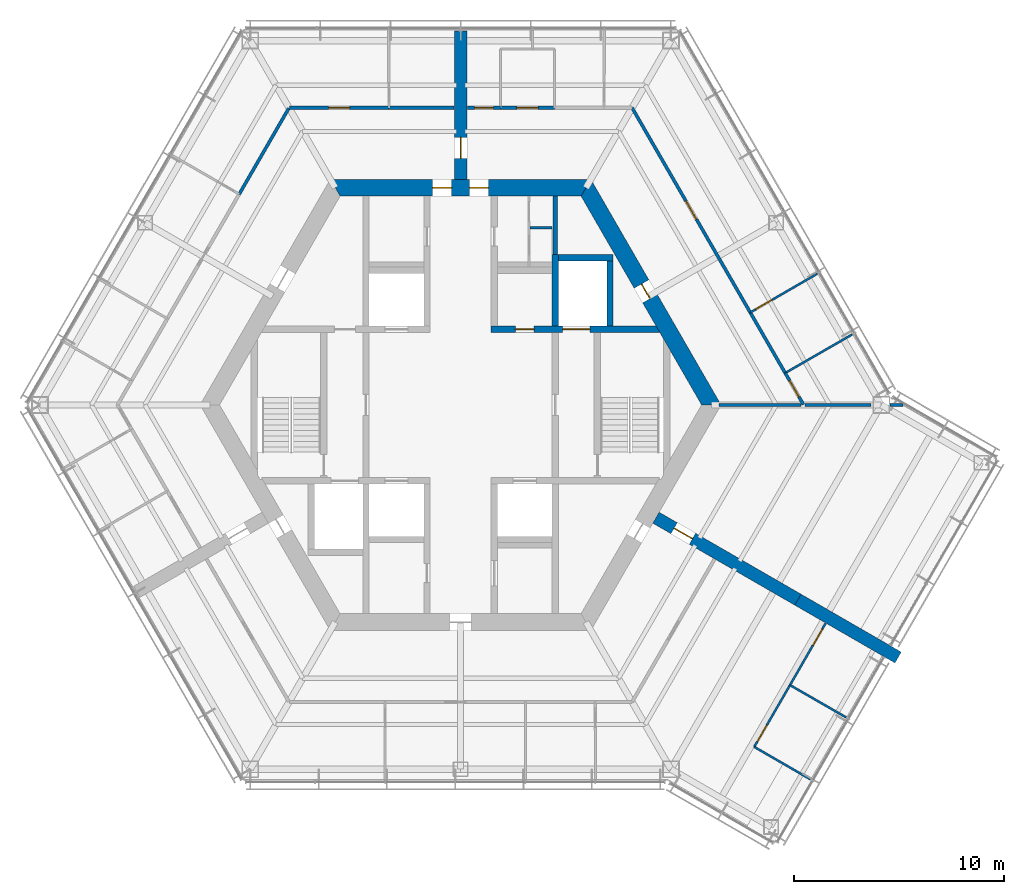
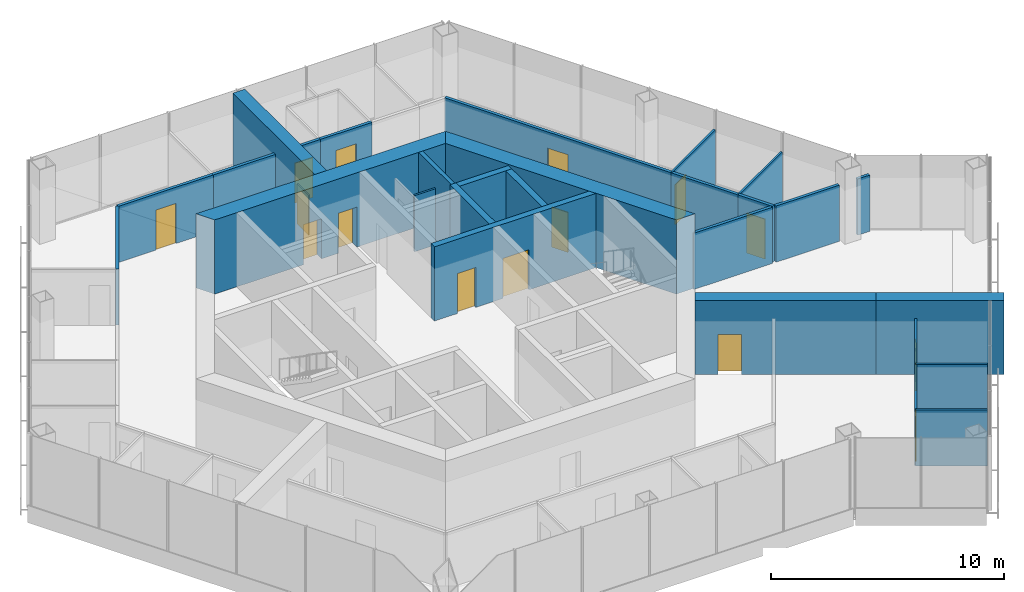
# One storey, part 9 of 13: 28 walls, 15 doors, 15 openings.
"""IFC4 building model written with IfcOpenShell, lengths in metres."""

from ifc_helpers import new_model, si_unit, direction, frame, frame_2d, origin, place, context, subcontext, project, spatial, polyline, rectangle, outline, extrude, material, layer, layer_set, type_object, element, fill, save


model = new_model("IFC4")

# Units and contexts
model_context = context("Model", 3, precision=1e-05, world=origin(), true_north=direction((0.0, 1.0)))
body_context = subcontext(model_context, "Body", "Model", "MODEL_VIEW")
ifc_project = project(units=[si_unit("LENGTHUNIT", "METRE"), si_unit("AREAUNIT", "SQUARE_METRE"), si_unit("VOLUMEUNIT", "CUBIC_METRE"), si_unit("PLANEANGLEUNIT", "RADIAN"), si_unit("MASSUNIT", "GRAM", prefix="KILO")], contexts=[model_context])

# Site, building, storey
site_placement = place(None, origin())
site = spatial("IfcSite", under=ifc_project, at=site_placement, CompositionType="ELEMENT")
building_placement = place(site_placement, origin())
building = spatial("IfcBuilding", under=site, at=building_placement, Name="Kasaneha Research Tower", CompositionType="ELEMENT")
storey_placement = place(building_placement, frame((0.0, 0.0, 290.800048828125)))
storey = spatial("IfcBuildingStorey", under=building, at=storey_placement, Name="L73", CompositionType="ELEMENT", Elevation=290.800048828125)

# Wall, openings, doors
ifc_material_1 = material(Name="Concrete Fc60", Category="concrete")
ifc_layer_1 = layer(ifc_material_1, 0.300048828125)
ifc_layer_set_1 = layer_set([ifc_layer_1], Name="Core internal wall 300 Fc60")
wall_type_1 = type_object("IfcWallType", Name="Core internal wall 300 Fc60", PredefinedType="SHEAR", material=ifc_layer_set_1)
wall_1_placement = place(storey_placement, frame((1.449951171875, 3.60009765625, 0.0), z_axis=(0.0, 0.0, 1.0), x_axis=(1.0, 0.0, 0.0)))
wall_1 = element("IfcWall", 1, at=wall_1_placement, inside=storey, type_object=wall_type_1, Name="Core wall W1E L73", PredefinedType="SHEAR", context=body_context, shape_type="SweptSolid", body=[
    extrude(outline(polyline([(0.0, -0.14990234375), (1.14990234375, -0.14990234375), (2.0498046875, -0.14990234375), (3.39990234375, -0.14990234375), (4.699951171875, -0.14990234375), (8.0185546875, -0.14990234375), (7.84521484375, 0.14990234375), (4.699951171875, 0.14990234375), (3.39990234375, 0.14990234375), (2.0498046875, 0.14990234375), (1.14990234375, 0.14990234375), (0.0, 0.14990234375), (0.0, -0.14990234375)])), origin(), (0.0, 0.0, 1.0), 3.89990234375),
])
opening_1_placement = place(wall_1_placement, frame((1.14990234375, 0.0, 0.0)))
opening_1 = element("IfcOpeningElement", 2, at=opening_1_placement, cuts=wall_1, Name="Opening L73-D17", PredefinedType="OPENING", context=body_context, shape_type="SweptSolid", body=[
    extrude(rectangle(XDim=0.89990234375, YDim=2.10009765625, at=frame_2d((0.449951171875, 1.050048828125))), frame((0.0, 0.16015625, 0.0), z_axis=(0.0, -1.0, 0.0), x_axis=(1.0, 0.0, 0.0)), (0.0, 0.0, 1.0), 0.320068359375),
])
opening_2_placement = place(wall_1_placement, frame((3.39990234375, 0.0, 0.0)))
opening_2 = element("IfcOpeningElement", 3, at=opening_2_placement, cuts=wall_1, Name="Opening LD-FL1-L73", PredefinedType="OPENING", context=body_context, shape_type="SweptSolid", body=[
    extrude(rectangle(XDim=1.300048828125, YDim=2.10009765625, at=frame_2d((0.64990234375, 1.050048828125))), frame((0.0, 0.16015625, 0.0), z_axis=(0.0, -1.0, 0.0), x_axis=(1.0, 0.0, 0.0)), (0.0, 0.0, 1.0), 0.320068359375),
])
ifc_material_2 = material(Name="Steel", Category="steel")
door_type_1 = type_object("IfcDoorType", Name="Lift landing door 1300x2100", OperationType="DOUBLE_DOOR_SLIDING", PredefinedType="DOOR", material=ifc_material_2)
door_1_placement = place(opening_2_placement, origin())
door_1 = element("IfcDoor", 4, at=door_1_placement, inside=storey, type_object=door_type_1, Name="Landing door FL1 LD-FL1-L73", OperationType="DOUBLE_DOOR_SLIDING", OverallHeight=2.10009765625, OverallWidth=1.300048828125, PredefinedType="DOOR", context=body_context, shape_type="SweptSolid", body=[
    extrude(rectangle(XDim=1.300048828125, YDim=2.10009765625, at=frame_2d((0.64990234375, 1.050048828125))), frame((0.0, 0.02490234375, 0.0), z_axis=(0.0, -1.0, 0.0), x_axis=(1.0, 0.0, 0.0)), (0.0, 0.0, 1.0), 0.050048828125),
])
fill(opening_2, door_1)
ifc_material_3 = material(Name="Steel", Category="steel")
door_type_2 = type_object("IfcDoorType", Name="Shaft room door FD60 900x2100", OperationType="NOTDEFINED", PredefinedType="DOOR", material=ifc_material_3)
door_2_placement = place(opening_1_placement, origin())
door_2 = element("IfcDoor", 5, at=door_2_placement, inside=storey, type_object=door_type_2, Name="Mail room door L73-D17", OperationType="SINGLE_SWING_LEFT", OverallHeight=2.10009765625, OverallWidth=0.89990234375, PredefinedType="DOOR", context=body_context, shape_type="SweptSolid", body=[
    extrude(rectangle(XDim=0.89990234375, YDim=2.10009765625, at=frame_2d((0.449951171875, 1.050048828125))), frame((0.0, 0.02490234375, 0.0), z_axis=(0.0, -1.0, 0.0), x_axis=(1.0, 0.0, 0.0)), (0.0, 0.0, 1.0), 0.050048828125),
])
fill(opening_1, door_2)

# Walls
wall_2_placement = place(storey_placement, frame((4.5, 3.75, 0.0), z_axis=(0.0, 0.0, 1.0), x_axis=(0.0, 1.0, 0.0)))
element("IfcWall", 6, at=wall_2_placement, inside=storey, type_object=wall_type_1, Name="Core wall FNE L73", PredefinedType="SHEAR", context=body_context, shape_type="SweptSolid", body=[
    extrude(rectangle(XDim=3.39990234375, YDim=0.300048828125, at=frame_2d((1.699951171875, 0.0))), origin(), (0.0, 0.0, 1.0), 3.89990234375),
])
wall_3_placement = place(storey_placement, frame((4.64990234375, 7.0, 0.0), z_axis=(0.0, 0.0, 1.0), x_axis=(1.0, 0.0, 0.0)))
element("IfcWall", 7, at=wall_3_placement, inside=storey, type_object=wall_type_1, Name="Core wall F1N L73", PredefinedType="SHEAR", context=body_context, shape_type="SweptSolid", body=[
    extrude(rectangle(XDim=2.60009765625, YDim=0.300048828125, at=frame_2d((1.300048828125, 0.0))), origin(), (0.0, 0.0, 1.0), 3.89990234375),
])
wall_4_placement = place(storey_placement, frame((7.10009765625, 3.75, 0.0), z_axis=(0.0, 0.0, 1.0), x_axis=(0.0, 1.0, 0.0)))
element("IfcWall", 8, at=wall_4_placement, inside=storey, type_object=wall_type_1, Name="Core wall F1E L73", PredefinedType="SHEAR", context=body_context, shape_type="SweptSolid", body=[
    extrude(rectangle(XDim=3.10009765625, YDim=0.300048828125, at=frame_2d((1.550048828125, 0.0))), origin(), (0.0, 0.0, 1.0), 3.89990234375),
])

# Wall, opening, door
ifc_material_4 = material(Name="Concrete Fc60", Category="concrete")
ifc_layer_2 = layer(ifc_material_4, 0.800048828125)
ifc_layer_set_2 = layer_set([ifc_layer_2], Name="Core wall 800 Fc60")
wall_type_2 = type_object("IfcWallType", Name="Core wall 800 Fc60", PredefinedType="SHEAR", material=ifc_layer_set_2)
wall_5_placement = place(storey_placement, frame((11.92236328125, 0.0, 0.0), z_axis=(0.0, 0.0, 1.0), x_axis=(-0.500004296715, 0.866022923061, 0.0)))
wall_5 = element("IfcWall", 9, at=wall_5_placement, inside=storey, type_object=wall_type_2, Name="Core wall 030 L73", PredefinedType="SHEAR", context=body_context, shape_type="SweptSolid", body=[
    extrude(outline(polyline([(-0.23095703125, -0.39990234375), (5.83544921875, -0.39990234375), (6.635498046875, -0.39990234375), (12.1533203125, -0.39990234375), (11.69140625, 0.39990234375), (6.635498046875, 0.39990234375), (5.83544921875, 0.39990234375), (0.23095703125, 0.39990234375), (-0.23095703125, -0.39990234375)])), origin(), (0.0, 0.0, 1.0), 3.89990234375),
])
opening_3_placement = place(wall_5_placement, frame((5.83544921875, 0.0, 0.0)))
opening_3 = element("IfcOpeningElement", 10, at=opening_3_placement, cuts=wall_5, Name="Opening L73-D04", PredefinedType="OPENING", context=body_context, shape_type="SweptSolid", body=[
    extrude(rectangle(XDim=0.800048828125, YDim=2.10009765625, at=frame_2d((0.39990234375, 1.050048828125))), frame((0.0, 0.41015625, 0.0), z_axis=(0.0, -1.0, 0.0), x_axis=(1.0, 0.0, 0.0)), (0.0, 0.0, 1.0), 0.820068359375),
])
ifc_material_5 = material(Name="Steel", Category="steel")
door_type_3 = type_object("IfcDoorType", Name="Riser access door FD60 800x2100", OperationType="NOTDEFINED", PredefinedType="DOOR", material=ifc_material_5)
door_3_placement = place(opening_3_placement, origin())
door_3 = element("IfcDoor", 11, at=door_3_placement, inside=storey, type_object=door_type_3, Name="Pipe riser door L73-D04", OperationType="SINGLE_SWING_RIGHT", OverallHeight=2.10009765625, OverallWidth=0.800048828125, PredefinedType="DOOR", context=body_context, shape_type="SweptSolid", body=[
    extrude(rectangle(XDim=0.800048828125, YDim=2.10009765625, at=frame_2d((0.39990234375, 1.050048828125))), frame((0.0, 0.02490234375, 0.0), z_axis=(0.0, -1.0, 0.0), x_axis=(1.0, 0.0, 0.0)), (0.0, 0.0, 1.0), 0.050048828125),
])
fill(opening_3, door_3)

# Wall, openings, doors
wall_6_placement = place(storey_placement, frame((5.961181640625, 10.324951171875, 0.0), z_axis=(0.0, 0.0, 1.0), x_axis=(-1.0, 0.0, 0.0)))
wall_6 = element("IfcWall", 12, at=wall_6_placement, inside=storey, type_object=wall_type_2, Name="Core wall 090 L73", PredefinedType="SHEAR", context=body_context, shape_type="SweptSolid", body=[
    extrude(outline(polyline([(-0.23095703125, -0.39990234375), (4.63623046875, -0.39990234375), (5.5361328125, -0.39990234375), (6.38623046875, -0.39990234375), (7.2861328125, -0.39990234375), (12.1533203125, -0.39990234375), (11.69140625, 0.39990234375), (7.2861328125, 0.39990234375), (6.38623046875, 0.39990234375), (5.5361328125, 0.39990234375), (4.63623046875, 0.39990234375), (0.23095703125, 0.39990234375), (-0.23095703125, -0.39990234375)])), origin(), (0.0, 0.0, 1.0), 3.89990234375),
])
opening_4_placement = place(wall_6_placement, frame((6.38623046875, 0.0, 0.0)))
opening_4 = element("IfcOpeningElement", 13, at=opening_4_placement, cuts=wall_6, Name="Opening L73-D01", PredefinedType="OPENING", context=body_context, shape_type="SweptSolid", body=[
    extrude(rectangle(XDim=0.89990234375, YDim=2.10009765625, at=frame_2d((0.449951171875, 1.050048828125))), frame((0.0, 0.41015625, 0.0), z_axis=(0.0, -1.0, 0.0), x_axis=(1.0, 0.0, 0.0)), (0.0, 0.0, 1.0), 0.820068359375),
])
opening_5_placement = place(wall_6_placement, frame((4.63623046875, 0.0, 0.0)))
opening_5 = element("IfcOpeningElement", 14, at=opening_5_placement, cuts=wall_6, Name="Opening L73-D02", PredefinedType="OPENING", context=body_context, shape_type="SweptSolid", body=[
    extrude(rectangle(XDim=0.89990234375, YDim=2.10009765625, at=frame_2d((0.449951171875, 1.050048828125))), frame((0.0, 0.41015625, 0.0), z_axis=(0.0, -1.0, 0.0), x_axis=(1.0, 0.0, 0.0)), (0.0, 0.0, 1.0), 0.820068359375),
])
ifc_material_6 = material(Name="Steel", Category="steel")
door_type_4 = type_object("IfcDoorType", Name="Toilet door FD20 900x2100", OperationType="NOTDEFINED", PredefinedType="DOOR", material=ifc_material_6)
door_4_placement = place(opening_4_placement, origin())
door_4 = element("IfcDoor", 15, at=door_4_placement, inside=storey, type_object=door_type_4, Name="Core door north 1 L73-D01", OperationType="SINGLE_SWING_RIGHT", OverallHeight=2.10009765625, OverallWidth=0.89990234375, PredefinedType="DOOR", context=body_context, shape_type="SweptSolid", body=[
    extrude(rectangle(XDim=0.89990234375, YDim=2.10009765625, at=frame_2d((0.449951171875, 1.050048828125))), frame((0.0, 0.02490234375, 0.0), z_axis=(0.0, -1.0, 0.0), x_axis=(1.0, 0.0, 0.0)), (0.0, 0.0, 1.0), 0.050048828125),
])
fill(opening_4, door_4)
door_5_placement = place(opening_5_placement, origin())
door_5 = element("IfcDoor", 16, at=door_5_placement, inside=storey, type_object=door_type_4, Name="Core door north 2 L73-D02", OperationType="SINGLE_SWING_LEFT", OverallHeight=2.10009765625, OverallWidth=0.89990234375, PredefinedType="DOOR", context=body_context, shape_type="SweptSolid", body=[
    extrude(rectangle(XDim=0.89990234375, YDim=2.10009765625, at=frame_2d((0.449951171875, 1.050048828125))), frame((0.0, 0.02490234375, 0.0), z_axis=(0.0, -1.0, 0.0), x_axis=(1.0, 0.0, 0.0)), (0.0, 0.0, 1.0), 0.050048828125),
])
fill(opening_5, door_5)

# Walls
ifc_material_7 = material(Name="Gypsum board on steel studs, one layer each side", Category="steel")
ifc_layer_3 = layer(ifc_material_7, 0.10009765625)
ifc_layer_set_3 = layer_set([ifc_layer_3], Name="Office partition 100")
wall_type_3 = type_object("IfcWallType", Name="Office partition 100", PredefinedType="PARTITIONING", material=ifc_layer_set_3)
wall_7_placement = place(storey_placement, frame((3.300048828125, 8.425048828125, 0.0), z_axis=(0.0, 0.0, 1.0), x_axis=(1.0, 0.0, 0.0)))
element("IfcWall", 17, at=wall_7_placement, inside=storey, type_object=wall_type_3, Name="Office partition TBF2 L73", PredefinedType="PARTITIONING", context=body_context, shape_type="SweptSolid", body=[
    extrude(rectangle(XDim=1.050048828125, YDim=0.10009765625, at=frame_2d((0.52490234375, 0.0))), origin(), (0.0, 0.0, 1.0), 2.949951171875),
])
wall_8_placement = place(storey_placement, frame((18.619873046875, 3.3505859375, 0.0), z_axis=(0.0, 0.0, 1.0), x_axis=(-0.866693818913, -0.49884047977, 0.0)))
element("IfcWall", 18, at=wall_8_placement, inside=storey, type_object=wall_type_3, Name="Office partition FAE12 L73", PredefinedType="PARTITIONING", context=body_context, shape_type="SweptSolid", body=[
    extrude(rectangle(XDim=3.675537109375, YDim=0.10009765625, at=frame_2d((1.837890625, 0.0))), origin(), (0.0, 0.0, 1.0), 2.949951171875),
])

# Wall, opening, door
wall_9_placement = place(storey_placement, frame((13.7734375, 4.3935546875, 0.0), z_axis=(0.0, 0.0, 1.0), x_axis=(0.865424773777, 0.501038881657, 0.0)))
wall_9 = element("IfcWall", 19, at=wall_9_placement, inside=storey, type_object=wall_type_3, Name="Office partition FAE13 L73", PredefinedType="PARTITIONING", context=body_context, shape_type="SweptSolid", body=[
    extrude(rectangle(XDim=3.685791015625, YDim=0.10009765625, at=frame_2d((1.8427734375, 0.0))), origin(), (0.0, 0.0, 1.0), 2.949951171875),
])
opening_6_placement = place(wall_9_placement, frame((0.300048828125, 0.0, 0.0)))
opening_6 = element("IfcOpeningElement", 20, at=opening_6_placement, cuts=wall_9, Name="Opening L73-D27", PredefinedType="OPENING", context=body_context, shape_type="SweptSolid", body=[
    extrude(rectangle(XDim=0.89990234375, YDim=2.10009765625, at=frame_2d((0.449951171875, 1.050048828125))), frame((0.0, 0.06005859375, 0.0), z_axis=(0.0, -1.0, 0.0), x_axis=(1.0, 0.0, 0.0)), (0.0, 0.0, 1.0), 0.1201171875),
])
ifc_material_8 = material(Name="Timber veneer", Category="wood")
door_type_5 = type_object("IfcDoorType", Name="Office door 900x2100", OperationType="SINGLE_SWING_LEFT", PredefinedType="DOOR", material=ifc_material_8)
door_6_placement = place(opening_6_placement, origin())
door_6 = element("IfcDoor", 21, at=door_6_placement, inside=storey, type_object=door_type_5, Name="Board meeting room door L73-D27", OperationType="SINGLE_SWING_LEFT", OverallHeight=2.10009765625, OverallWidth=0.89990234375, PredefinedType="DOOR", context=body_context, shape_type="SweptSolid", body=[
    extrude(rectangle(XDim=0.89990234375, YDim=2.10009765625, at=frame_2d((0.449951171875, 1.050048828125))), frame((0.0, 0.02490234375, 0.0), z_axis=(0.0, -1.0, 0.0), x_axis=(1.0, 0.0, 0.0)), (0.0, 0.0, 1.0), 0.050048828125),
])
fill(opening_6, door_6)

# Wall
wall_10_placement = place(storey_placement, frame((15.658935546875, -13.31884765625, 0.0), z_axis=(0.0, 0.0, 1.0), x_axis=(0.866844641549, -0.498578346319, 0.0)))
element("IfcWall", 22, at=wall_10_placement, inside=storey, type_object=wall_type_3, Name="Office partition FCS09 L73", PredefinedType="PARTITIONING", context=body_context, shape_type="SweptSolid", body=[
    extrude(rectangle(XDim=3.080078125, YDim=0.10009765625, at=frame_2d((1.5400390625, 0.0))), origin(), (0.0, 0.0, 1.0), 2.949951171875),
])

# Wall, opening, door
wall_11_placement = place(storey_placement, frame((13.96142578125, -16.259033203125, 0.0), z_axis=(0.0, 0.0, 1.0), x_axis=(0.501149490816, 0.865360727012, 0.0)))
wall_11 = element("IfcWall", 23, at=wall_11_placement, inside=storey, type_object=wall_type_3, Name="Office partition FCS10 L73", PredefinedType="PARTITIONING", context=body_context, shape_type="SweptSolid", body=[
    extrude(rectangle(XDim=3.39990234375, YDim=0.10009765625, at=frame_2d((1.699951171875, 0.0))), origin(), (0.0, 0.0, 1.0), 2.949951171875),
])
opening_7_placement = place(wall_11_placement, frame((0.300048828125, 0.0, 0.0)))
opening_7 = element("IfcOpeningElement", 24, at=opening_7_placement, cuts=wall_11, Name="Opening L73-D42", PredefinedType="OPENING", context=body_context, shape_type="SweptSolid", body=[
    extrude(rectangle(XDim=0.89990234375, YDim=2.10009765625, at=frame_2d((0.449951171875, 1.050048828125))), frame((0.0, 0.06005859375, 0.0), z_axis=(0.0, -1.0, 0.0), x_axis=(1.0, 0.0, 0.0)), (0.0, 0.0, 1.0), 0.1201171875),
])
door_7_placement = place(opening_7_placement, origin())
door_7 = element("IfcDoor", 25, at=door_7_placement, inside=storey, type_object=door_type_5, Name="Workroom door L73-D42", OperationType="SINGLE_SWING_LEFT", OverallHeight=2.10009765625, OverallWidth=0.89990234375, PredefinedType="DOOR", context=body_context, shape_type="SweptSolid", body=[
    extrude(rectangle(XDim=0.89990234375, YDim=2.10009765625, at=frame_2d((0.449951171875, 1.050048828125))), frame((0.0, 0.02490234375, 0.0), z_axis=(0.0, -1.0, 0.0), x_axis=(1.0, 0.0, 0.0)), (0.0, 0.0, 1.0), 0.050048828125),
])
fill(opening_7, door_7)

# Wall
wall_12_placement = place(storey_placement, frame((16.62890625, -17.799072265625, 0.0), z_axis=(0.0, 0.0, 1.0), x_axis=(-0.866029832698, 0.499992328818, 0.0)))
element("IfcWall", 26, at=wall_12_placement, inside=storey, type_object=wall_type_3, Name="Office partition FCS11 L73", PredefinedType="PARTITIONING", context=body_context, shape_type="SweptSolid", body=[
    extrude(rectangle(XDim=3.080078125, YDim=0.10009765625, at=frame_2d((1.5400390625, 0.0))), origin(), (0.0, 0.0, 1.0), 2.949951171875),
])

# Wall, opening, door
wall_13_placement = place(storey_placement, frame((15.665283203125, -13.31689453125, 0.0), z_axis=(0.0, 0.0, 1.0), x_axis=(0.498882251571, 0.866669775098, 0.0)))
wall_13 = element("IfcWall", 27, at=wall_13_placement, inside=storey, type_object=wall_type_3, Name="Office partition FCS12 L73", PredefinedType="PARTITIONING", context=body_context, shape_type="SweptSolid", body=[
    extrude(rectangle(XDim=3.380126953125, YDim=0.10009765625, at=frame_2d((1.68994140625, 0.0))), origin(), (0.0, 0.0, 1.0), 2.949951171875),
])
opening_8_placement = place(wall_13_placement, frame((2.179931640625, 0.0, 0.0)))
opening_8 = element("IfcOpeningElement", 28, at=opening_8_placement, cuts=wall_13, Name="Opening L73-D43", PredefinedType="OPENING", context=body_context, shape_type="SweptSolid", body=[
    extrude(rectangle(XDim=0.89990234375, YDim=2.10009765625, at=frame_2d((0.449951171875, 1.050048828125))), frame((0.0, 0.06005859375, 0.0), z_axis=(0.0, -1.0, 0.0), x_axis=(1.0, 0.0, 0.0)), (0.0, 0.0, 1.0), 0.1201171875),
])
door_8_placement = place(opening_8_placement, origin())
door_8 = element("IfcDoor", 29, at=door_8_placement, inside=storey, type_object=door_type_5, Name="Phone room door L73-D43", OperationType="SINGLE_SWING_RIGHT", OverallHeight=2.10009765625, OverallWidth=0.89990234375, PredefinedType="DOOR", context=body_context, shape_type="SweptSolid", body=[
    extrude(rectangle(XDim=0.89990234375, YDim=2.10009765625, at=frame_2d((0.449951171875, 1.050048828125))), frame((0.0, 0.02490234375, 0.0), z_axis=(0.0, -1.0, 0.0), x_axis=(1.0, 0.0, 0.0)), (0.0, 0.0, 1.0), 0.050048828125),
])
fill(opening_8, door_8)

# Wall
ifc_material_9 = material(Name="Concrete block", Category="concrete")
ifc_layer_4 = layer(ifc_material_9, 0.199951171875)
ifc_layer_set_4 = layer_set([ifc_layer_4], Name="Riser enclosure wall 200")
wall_type_4 = type_object("IfcWallType", Name="Riser enclosure wall 200", PredefinedType="STANDARD", material=ifc_layer_set_4)
wall_14_placement = place(storey_placement, frame((4.5, 7.14990234375, 0.0), z_axis=(0.0, 0.0, 1.0), x_axis=(0.0, 1.0, 0.0)))
element("IfcWall", 30, at=wall_14_placement, inside=storey, type_object=wall_type_4, Name="Riser enclosure wall L73", PredefinedType="STANDARD", context=body_context, shape_type="SweptSolid", body=[
    extrude(rectangle(XDim=2.775146484375, YDim=0.199951171875, at=frame_2d((1.3876953125, 0.0))), origin(), (0.0, 0.0, 1.0), 3.89990234375),
])

# Wall, opening, door
ifc_material_10 = material(Name="Concrete Fc60", Category="concrete")
ifc_layer_5 = layer(ifc_material_10, 0.60009765625)
ifc_layer_set_5 = layer_set([ifc_layer_5], Name="Spine wall 600 Fc60")
wall_type_5 = type_object("IfcWallType", Name="Spine wall 600 Fc60", PredefinedType="SHEAR", material=ifc_layer_set_5)
wall_15_placement = place(storey_placement, frame((0.0, 10.72509765625, 0.0), z_axis=(0.0, 0.0, 1.0), x_axis=(0.0, 1.0, 0.0)))
wall_15 = element("IfcWall", 31, at=wall_15_placement, inside=storey, type_object=wall_type_5, Name="Spine wall A L73", PredefinedType="SHEAR", context=body_context, shape_type="SweptSolid", body=[
    extrude(rectangle(XDim=7.04541015625, YDim=0.60009765625, at=frame_2d((3.522705078125, 0.0))), origin(), (0.0, 0.0, 1.0), 3.89990234375),
])
opening_9_placement = place(wall_15_placement, frame((1.0, 0.0, 0.0)))
opening_9 = element("IfcOpeningElement", 32, at=opening_9_placement, cuts=wall_15, Name="Opening L73-D18", PredefinedType="OPENING", context=body_context, shape_type="SweptSolid", body=[
    extrude(rectangle(XDim=1.0, YDim=2.10009765625, at=frame_2d((0.5, 1.050048828125))), frame((0.0, 0.31005859375, 0.0), z_axis=(0.0, -1.0, 0.0), x_axis=(1.0, 0.0, 0.0)), (0.0, 0.0, 1.0), 0.6201171875),
])
ifc_material_11 = material(Name="Steel", Category="steel")
door_type_6 = type_object("IfcDoorType", Name="Specified fire door FD60 1000x2100", OperationType="NOTDEFINED", PredefinedType="DOOR", material=ifc_material_11)
door_9_placement = place(opening_9_placement, origin())
door_9 = element("IfcDoor", 33, at=door_9_placement, inside=storey, type_object=door_type_6, Name="Spine doorway A L73-D18", OperationType="SINGLE_SWING_LEFT", OverallHeight=2.10009765625, OverallWidth=1.0, PredefinedType="DOOR", context=body_context, shape_type="SweptSolid", body=[
    extrude(rectangle(XDim=1.0, YDim=2.10009765625, at=frame_2d((0.5, 1.050048828125))), frame((0.0, 0.02490234375, 0.0), z_axis=(0.0, -1.0, 0.0), x_axis=(1.0, 0.0, 0.0)), (0.0, 0.0, 1.0), 0.050048828125),
])
fill(opening_9, door_9)

wall_16_placement = place(storey_placement, frame((9.2880859375, -5.362548828125, 0.0), z_axis=(0.0, 0.0, 1.0), x_axis=(0.866031736626, -0.499989031036, 0.0)))
wall_16 = element("IfcWall", 34, at=wall_16_placement, inside=storey, type_object=wall_type_5, Name="Spine wall C L73", PredefinedType="SHEAR", context=body_context, shape_type="SweptSolid", body=[
    extrude(rectangle(XDim=7.795654296875, YDim=0.60009765625, at=frame_2d((3.89794921875, 0.0))), origin(), (0.0, 0.0, 1.0), 3.89990234375),
])
opening_10_placement = place(wall_16_placement, frame((1.0, 0.0, 0.0)))
opening_10 = element("IfcOpeningElement", 35, at=opening_10_placement, cuts=wall_16, Name="Opening L73-D20", PredefinedType="OPENING", context=body_context, shape_type="SweptSolid", body=[
    extrude(rectangle(XDim=1.0, YDim=2.10009765625, at=frame_2d((0.5, 1.050048828125))), frame((0.0, 0.31005859375, 0.0), z_axis=(0.0, -1.0, 0.0), x_axis=(1.0, 0.0, 0.0)), (0.0, 0.0, 1.0), 0.6201171875),
])
door_10_placement = place(opening_10_placement, origin())
door_10 = element("IfcDoor", 36, at=door_10_placement, inside=storey, type_object=door_type_6, Name="Spine doorway C L73-D20", OperationType="SINGLE_SWING_LEFT", OverallHeight=2.10009765625, OverallWidth=1.0, PredefinedType="DOOR", context=body_context, shape_type="SweptSolid", body=[
    extrude(rectangle(XDim=1.0, YDim=2.10009765625, at=frame_2d((0.5, 1.050048828125))), frame((0.0, 0.02490234375, 0.0), z_axis=(0.0, -1.0, 0.0), x_axis=(1.0, 0.0, 0.0)), (0.0, 0.0, 1.0), 0.050048828125),
])
fill(opening_10, door_10)

# Wall
wall_17_placement = place(storey_placement, frame((16.039306640625, -9.26025390625, 0.0), z_axis=(0.0, 0.0, 1.0), x_axis=(0.866027397988, -0.499996545922, 0.0)))
element("IfcWall", 37, at=wall_17_placement, inside=storey, type_object=wall_type_5, Name="Spine wall C wing L73", PredefinedType="SHEAR", context=body_context, shape_type="SweptSolid", body=[
    extrude(rectangle(XDim=5.5, YDim=0.60009765625, at=frame_2d((2.75, 0.0))), origin(), (0.0, 0.0, 1.0), 3.89990234375),
])

# Wall, opening, door
ifc_material_12 = material(Name="Gypsum board on steel studs, two layers each side", Category="steel")
ifc_layer_6 = layer(ifc_material_12, 0.14990234375)
ifc_layer_set_6 = layer_set([ifc_layer_6], Name="Suite partition 150")
wall_type_6 = type_object("IfcWallType", Name="Suite partition 150", PredefinedType="PARTITIONING", material=ifc_layer_set_6)
wall_18_placement = place(storey_placement, frame((1.89501953125, 14.125, 0.0), z_axis=(0.0, 0.0, 1.0), x_axis=(1.0, 0.0, 0.0)))
wall_18 = element("IfcWall", 38, at=wall_18_placement, inside=storey, type_object=wall_type_6, Name="Suite partition FAE01 L73", PredefinedType="PARTITIONING", context=body_context, shape_type="SweptSolid", body=[
    extrude(rectangle(XDim=2.574951171875, YDim=0.14990234375, at=frame_2d((1.28759765625, 0.0))), origin(), (0.0, 0.0, 1.0), 2.949951171875),
])
opening_11_placement = place(wall_18_placement, frame((0.78759765625, 0.0, 0.0)))
opening_11 = element("IfcOpeningElement", 39, at=opening_11_placement, cuts=wall_18, Name="Opening L73-D23", PredefinedType="OPENING", context=body_context, shape_type="SweptSolid", body=[
    extrude(rectangle(XDim=1.0, YDim=2.10009765625, at=frame_2d((0.5, 1.050048828125))), frame((0.0, 0.0849609375, 0.0), z_axis=(0.0, -1.0, 0.0), x_axis=(1.0, 0.0, 0.0)), (0.0, 0.0, 1.0), 0.169921875),
])
ifc_material_13 = material(Name="Steel", Category="steel")
door_type_7 = type_object("IfcDoorType", Name="Suite entrance door FD60 1000x2100", OperationType="NOTDEFINED", PredefinedType="DOOR", material=ifc_material_13)
door_11_placement = place(opening_11_placement, origin())
door_11 = element("IfcDoor", 40, at=door_11_placement, inside=storey, type_object=door_type_7, Name="Suite entrance door L73-D23", OperationType="SINGLE_SWING_RIGHT", OverallHeight=2.10009765625, OverallWidth=1.0, PredefinedType="DOOR", context=body_context, shape_type="SweptSolid", body=[
    extrude(rectangle(XDim=1.0, YDim=2.10009765625, at=frame_2d((0.5, 1.050048828125))), frame((0.0, 0.02490234375, 0.0), z_axis=(0.0, -1.0, 0.0), x_axis=(1.0, 0.0, 0.0)), (0.0, 0.0, 1.0), 0.050048828125),
])
fill(opening_11, door_11)

# Wall
wall_19_placement = place(storey_placement, frame((13.768798828125, 4.40185546875, 0.0), z_axis=(0.0, 0.0, 1.0), x_axis=(0.499958601013, -0.866049304181, 0.0)))
element("IfcWall", 41, at=wall_19_placement, inside=storey, type_object=wall_type_6, Name="Suite partition FAE02 L73", PredefinedType="PARTITIONING", context=body_context, shape_type="SweptSolid", body=[
    extrude(rectangle(XDim=3.341064453125, YDim=0.14990234375, at=frame_2d((1.67041015625, 0.0))), origin(), (0.0, 0.0, 1.0), 2.949951171875),
])

# Wall, opening, door
wall_20_placement = place(storey_placement, frame((0.320068359375, 14.125, 0.0), z_axis=(0.0, 0.0, 1.0), x_axis=(1.0, 0.0, 0.0)))
wall_20 = element("IfcWall", 42, at=wall_20_placement, inside=storey, type_object=wall_type_6, Name="Suite partition FAE04 L73", PredefinedType="PARTITIONING", context=body_context, shape_type="SweptSolid", body=[
    extrude(rectangle(XDim=1.5849609375, YDim=0.14990234375, at=frame_2d((0.79248046875, 0.0))), origin(), (0.0, 0.0, 1.0), 2.949951171875),
])
opening_12_placement = place(wall_20_placement, frame((0.342529296875, 0.0, 0.0)))
opening_12 = element("IfcOpeningElement", 43, at=opening_12_placement, cuts=wall_20, Name="Opening L73-D24", PredefinedType="OPENING", context=body_context, shape_type="SweptSolid", body=[
    extrude(rectangle(XDim=0.89990234375, YDim=2.10009765625, at=frame_2d((0.449951171875, 1.050048828125))), frame((0.0, 0.0849609375, 0.0), z_axis=(0.0, -1.0, 0.0), x_axis=(1.0, 0.0, 0.0)), (0.0, 0.0, 1.0), 0.169921875),
])
door_12_placement = place(opening_12_placement, origin())
door_12 = element("IfcDoor", 44, at=door_12_placement, inside=storey, type_object=door_type_5, Name="Executive office door L73-D24", OperationType="SINGLE_SWING_RIGHT", OverallHeight=2.10009765625, OverallWidth=0.89990234375, PredefinedType="DOOR", context=body_context, shape_type="SweptSolid", body=[
    extrude(rectangle(XDim=0.89990234375, YDim=2.10009765625, at=frame_2d((0.449951171875, 1.050048828125))), frame((0.0, 0.02490234375, 0.0), z_axis=(0.0, -1.0, 0.0), x_axis=(1.0, 0.0, 0.0)), (0.0, 0.0, 1.0), 0.050048828125),
])
fill(opening_12, door_12)

wall_21_placement = place(storey_placement, frame((15.434326171875, 1.51708984375, 0.0), z_axis=(0.0, 0.0, 1.0), x_axis=(0.49996696679, -0.866044474677, 0.0)))
wall_21 = element("IfcWall", 45, at=wall_21_placement, inside=storey, type_object=wall_type_6, Name="Suite partition FAE05 L73", PredefinedType="PARTITIONING", context=body_context, shape_type="SweptSolid", body=[
    extrude(rectangle(XDim=1.728515625, YDim=0.14990234375, at=frame_2d((0.8642578125, 0.0))), origin(), (0.0, 0.0, 1.0), 2.949951171875),
])
opening_13_placement = place(wall_21_placement, frame((0.414306640625, 0.0, 0.0)))
opening_13 = element("IfcOpeningElement", 46, at=opening_13_placement, cuts=wall_21, Name="Opening L73-D25", PredefinedType="OPENING", context=body_context, shape_type="SweptSolid", body=[
    extrude(rectangle(XDim=0.89990234375, YDim=2.10009765625, at=frame_2d((0.449951171875, 1.050048828125))), frame((0.0, 0.0849609375, 0.0), z_axis=(0.0, -1.0, 0.0), x_axis=(1.0, 0.0, 0.0)), (0.0, 0.0, 1.0), 0.169921875),
])
door_13_placement = place(opening_13_placement, origin())
door_13 = element("IfcDoor", 47, at=door_13_placement, inside=storey, type_object=door_type_5, Name="Workroom door L73-D25", OperationType="SINGLE_SWING_RIGHT", OverallHeight=2.10009765625, OverallWidth=0.89990234375, PredefinedType="DOOR", context=body_context, shape_type="SweptSolid", body=[
    extrude(rectangle(XDim=0.89990234375, YDim=2.10009765625, at=frame_2d((0.449951171875, 1.050048828125))), frame((0.0, 0.02490234375, 0.0), z_axis=(0.0, -1.0, 0.0), x_axis=(1.0, 0.0, 0.0)), (0.0, 0.0, 1.0), 0.050048828125),
])
fill(opening_13, door_13)

wall_22_placement = place(storey_placement, frame((8.155029296875, 14.125, 0.0), z_axis=(0.0, 0.0, 1.0), x_axis=(0.499997038701, -0.866027113485, 0.0)))
wall_22 = element("IfcWall", 48, at=wall_22_placement, inside=storey, type_object=wall_type_6, Name="Suite partition FAE07 L73", PredefinedType="PARTITIONING", context=body_context, shape_type="SweptSolid", body=[
    extrude(rectangle(XDim=11.23681640625, YDim=0.14990234375, at=frame_2d((5.618408203125, 0.0))), origin(), (0.0, 0.0, 1.0), 2.949951171875),
])
opening_14_placement = place(wall_22_placement, frame((5.118408203125, 0.0, 0.0)))
opening_14 = element("IfcOpeningElement", 49, at=opening_14_placement, cuts=wall_22, Name="Opening L73-D26", PredefinedType="OPENING", context=body_context, shape_type="SweptSolid", body=[
    extrude(rectangle(XDim=1.0, YDim=2.10009765625, at=frame_2d((0.5, 1.050048828125))), frame((0.0, 0.0849609375, 0.0), z_axis=(0.0, -1.0, 0.0), x_axis=(1.0, 0.0, 0.0)), (0.0, 0.0, 1.0), 0.169921875),
])
door_14_placement = place(opening_14_placement, origin())
door_14 = element("IfcDoor", 50, at=door_14_placement, inside=storey, type_object=door_type_7, Name="Suite entrance door L73-D26", OperationType="SINGLE_SWING_RIGHT", OverallHeight=2.10009765625, OverallWidth=1.0, PredefinedType="DOOR", context=body_context, shape_type="SweptSolid", body=[
    extrude(rectangle(XDim=1.0, YDim=2.10009765625, at=frame_2d((0.5, 1.050048828125))), frame((0.0, 0.02490234375, 0.0), z_axis=(0.0, -1.0, 0.0), x_axis=(1.0, 0.0, 0.0)), (0.0, 0.0, 1.0), 0.050048828125),
])
fill(opening_14, door_14)

# Wall
wall_23_placement = place(storey_placement, frame((-3.42041015625, 14.125, 0.0), z_axis=(0.0, 0.0, 1.0), x_axis=(1.0, 0.0, 0.0)))
element("IfcWall", 51, at=wall_23_placement, inside=storey, type_object=wall_type_6, Name="Suite partition FAW01 L73", PredefinedType="PARTITIONING", context=body_context, shape_type="SweptSolid", body=[
    extrude(rectangle(XDim=3.100341796875, YDim=0.14990234375, at=frame_2d((1.55029296875, 0.0))), origin(), (0.0, 0.0, 1.0), 2.949951171875),
])

# Wall, opening, door
wall_24_placement = place(storey_placement, frame((-8.132080078125, 14.125, 0.0), z_axis=(0.0, 0.0, 1.0), x_axis=(1.0, 0.0, 0.0)))
wall_24 = element("IfcWall", 52, at=wall_24_placement, inside=storey, type_object=wall_type_6, Name="Suite partition FAW02 L73", PredefinedType="PARTITIONING", context=body_context, shape_type="SweptSolid", body=[
    extrude(rectangle(XDim=4.72119140625, YDim=0.14990234375, at=frame_2d((2.360595703125, 0.0))), origin(), (0.0, 0.0, 1.0), 2.949951171875),
])
opening_15_placement = place(wall_24_placement, frame((1.860595703125, 0.0, 0.0)))
opening_15 = element("IfcOpeningElement", 53, at=opening_15_placement, cuts=wall_24, Name="Opening L73-D29", PredefinedType="OPENING", context=body_context, shape_type="SweptSolid", body=[
    extrude(rectangle(XDim=1.0, YDim=2.10009765625, at=frame_2d((0.5, 1.050048828125))), frame((0.0, 0.0849609375, 0.0), z_axis=(0.0, -1.0, 0.0), x_axis=(1.0, 0.0, 0.0)), (0.0, 0.0, 1.0), 0.169921875),
])
door_15_placement = place(opening_15_placement, origin())
door_15 = element("IfcDoor", 54, at=door_15_placement, inside=storey, type_object=door_type_7, Name="Suite entrance door L73-D29", OperationType="SINGLE_SWING_LEFT", OverallHeight=2.10009765625, OverallWidth=1.0, PredefinedType="DOOR", context=body_context, shape_type="SweptSolid", body=[
    extrude(rectangle(XDim=1.0, YDim=2.10009765625, at=frame_2d((0.5, 1.050048828125))), frame((0.0, 0.02490234375, 0.0), z_axis=(0.0, -1.0, 0.0), x_axis=(1.0, 0.0, 0.0)), (0.0, 0.0, 1.0), 0.050048828125),
])
fill(opening_15, door_15)

# Walls
wall_25_placement = place(storey_placement, frame((-10.52734375, 10.01611328125, 0.0), z_axis=(0.0, 0.0, 1.0), x_axis=(0.500020852261, 0.866013364391, 0.0)))
element("IfcWall", 55, at=wall_25_placement, inside=storey, type_object=wall_type_6, Name="Suite partition FBN01 L73", PredefinedType="PARTITIONING", context=body_context, shape_type="SweptSolid", body=[
    extrude(rectangle(XDim=4.721435546875, YDim=0.14990234375, at=frame_2d((2.36083984375, 0.0))), origin(), (0.0, 0.0, 1.0), 2.949951171875),
])
wall_26_placement = place(storey_placement, frame((19.5185546875, 0.0, 0.0), z_axis=(0.0, 0.0, 1.0), x_axis=(-1.0, 0.0, 0.0)))
element("IfcWall", 56, at=wall_26_placement, inside=storey, type_object=wall_type_6, Name="Suite partition closer PT4 L73", PredefinedType="PARTITIONING", context=body_context, shape_type="SweptSolid", body=[
    extrude(rectangle(XDim=3.14990234375, YDim=0.14990234375, at=frame_2d((1.574951171875, 0.0))), origin(), (0.0, 0.0, 1.0), 2.949951171875),
])
wall_27_placement = place(storey_placement, frame((12.2841796875, 0.0, 0.0), z_axis=(0.0, 0.0, 1.0), x_axis=(1.0, 0.0, 0.0)))
element("IfcWall", 57, at=wall_27_placement, inside=storey, type_object=wall_type_6, Name="Suite partition closer PT4 L73", PredefinedType="PARTITIONING", context=body_context, shape_type="SweptSolid", body=[
    extrude(rectangle(XDim=3.90087890625, YDim=0.14990234375, at=frame_2d((1.950439453125, 0.0))), origin(), (0.0, 0.0, 1.0), 2.949951171875),
])
wall_28_placement = place(storey_placement, frame((20.419921875, 0.0, 0.0), z_axis=(0.0, 0.0, 1.0), x_axis=(1.0, 0.0, 0.0)))
element("IfcWall", 58, at=wall_28_placement, inside=storey, type_object=wall_type_6, Name="Suite partition closer PT4 L73", PredefinedType="PARTITIONING", context=body_context, shape_type="SweptSolid", body=[
    extrude(rectangle(XDim=0.614013671875, YDim=0.14990234375, at=frame_2d((0.30712890625, 0.0))), origin(), (0.0, 0.0, 1.0), 2.949951171875),
])

save(model, "model.ifc")
